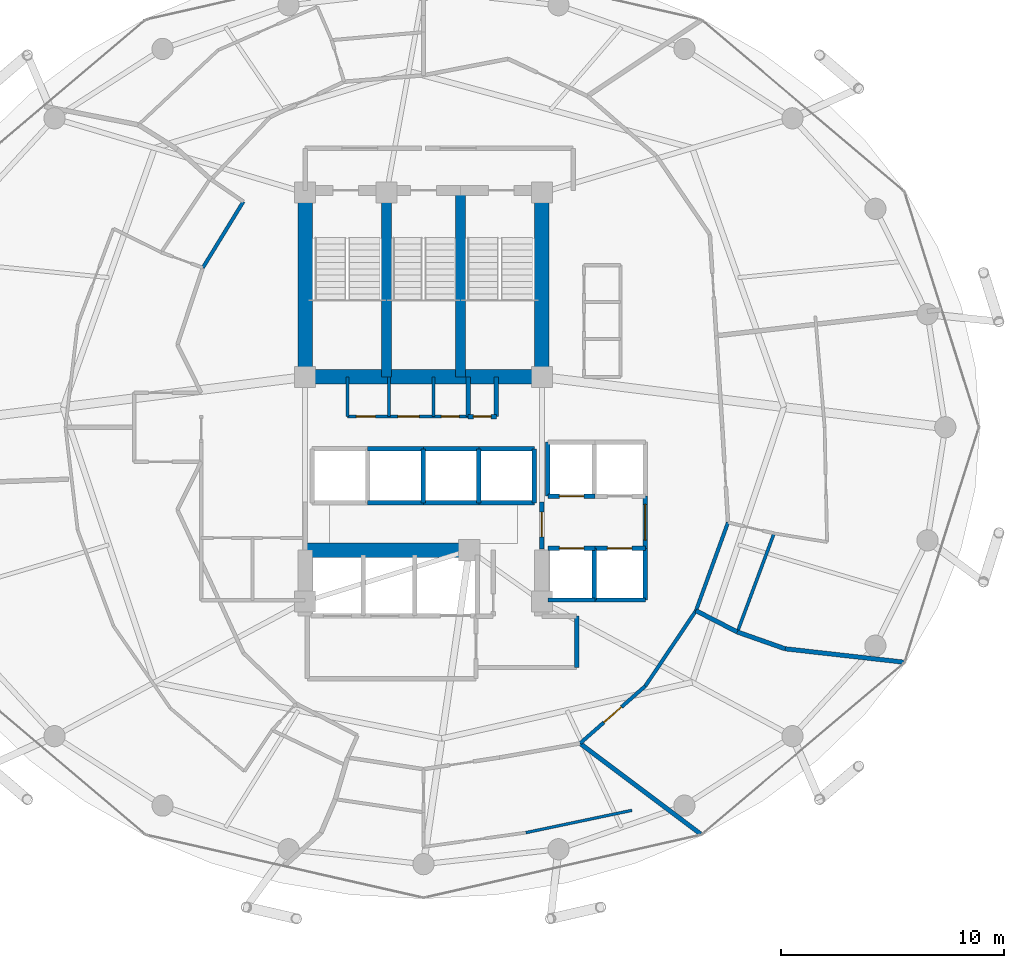
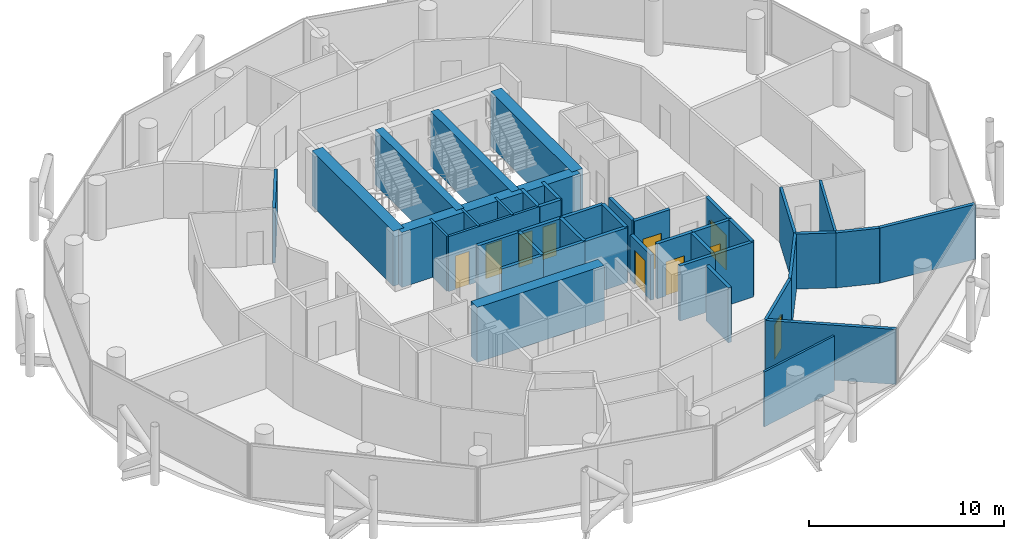
# One storey, part 23 of 26: 43 walls, 10 doors, 10 openings.
"""IFC4 building model written with IfcOpenShell, lengths in metres."""

import ifcopenshell
import ifcopenshell.guid

model = None  # the IFC model being written
_history = None  # IfcOwnerHistory: only IFC2X3 demands one
_inside = {}  # id of a spatial element -> (the spatial element, [elements in it])
_under = {}  # id of a project, library or spatial element -> (it, [spatial elements below it])
_declared = {}  # id of a project -> (the project, [libraries it declares])
_typed = {}  # id of a type object -> (the type object, [elements of that type])
_made_of = {}  # id of a material, layer set ... -> (it, [elements and type objects made of it])


def new_model(schema):
    """Start an empty IFC model of exactly this schema.

    Asked for "IFC4X3", IfcOpenShell would pick the latest addendum, in which some entities
    have other attributes; the version numbers below select the first issue.
    IFC2X3 requires an IfcOwnerHistory on every rooted entity: one is made here for all.
    """
    global model, _history
    if schema == "IFC4X3":
        model = ifcopenshell.file(schema_version=(4, 3, 0, 0))
    else:
        model = ifcopenshell.file(schema=schema)
    _inside.clear()
    _under.clear()
    _declared.clear()
    _typed.clear()
    _made_of.clear()
    _history = None
    if model.schema == "IFC2X3":
        org = make("IfcOrganization", Name="unknown")
        user = make(
            "IfcPersonAndOrganization",
            ThePerson=make("IfcPerson", FamilyName="unknown"),
            TheOrganization=org,
        )
        app = make(
            "IfcApplication",
            ApplicationDeveloper=org,
            Version="unknown",
            ApplicationFullName="unknown",
            ApplicationIdentifier="unknown",
        )
        _history = make(
            "IfcOwnerHistory",
            OwningUser=user,
            OwningApplication=app,
            ChangeAction="ADDED",
            CreationDate=0,
        )
    return model


def make(cls, **values):
    """One entity of the class cls with the attributes given. An attribute that is None is left unset."""
    return model.create_entity(
        cls, **{name: value for name, value in values.items() if value is not None}
    )


def rooted(cls, **values):
    """An entity with a GlobalId (a new one), such as an element, a storey or a relation."""
    return make(cls, GlobalId=ifcopenshell.guid.new(), OwnerHistory=_history, **values)


def si_unit(unit_type, name, prefix=None):
    """IfcSIUnit, for example si_unit("LENGTHUNIT", "METRE", prefix="MILLI")."""
    return make("IfcSIUnit", UnitType=unit_type, Prefix=prefix, Name=name)


def assignment(units):
    """IfcUnitAssignment: the units of a project."""
    return None if units is None else make("IfcUnitAssignment", Units=units)


def point(xyz):
    """IfcCartesianPoint."""
    return None if xyz is None else make("IfcCartesianPoint", Coordinates=xyz)


def direction(xyz):
    """IfcDirection."""
    return None if xyz is None else make("IfcDirection", DirectionRatios=xyz)


def frame(location, z_axis=None, x_axis=None):
    """IfcAxis2Placement3D, a coordinate frame: its origin and axes. An axis left out is left unset."""
    return make(
        "IfcAxis2Placement3D",
        Location=point(location),
        Axis=direction(z_axis),
        RefDirection=direction(x_axis),
    )


def frame_2d(location, x_axis=None):
    """IfcAxis2Placement2D, a coordinate frame in the plane: its origin and x axis."""
    return make(
        "IfcAxis2Placement2D", Location=point(location), RefDirection=direction(x_axis)
    )


def origin():
    """The frame at (0, 0, 0) with its axes left unset."""
    return frame((0.0, 0.0, 0.0))


def place(relative_to, where):
    """IfcLocalPlacement: puts the frame where relative to a parent placement (None: the world)."""
    return make(
        "IfcLocalPlacement", PlacementRelTo=relative_to, RelativePlacement=where
    )


def context(
    kind, dimensions, precision=None, world=None, true_north=None, identifier=None
):
    """IfcGeometricRepresentationContext, for example the 3D "Model" context."""
    return make(
        "IfcGeometricRepresentationContext",
        ContextIdentifier=identifier,
        ContextType=kind,
        CoordinateSpaceDimension=dimensions,
        Precision=precision,
        WorldCoordinateSystem=world,
        TrueNorth=true_north,
    )


def subcontext(parent, identifier, kind, view, scale=None):
    """IfcGeometricRepresentationSubContext, for example "Body" below "Model"."""
    return make(
        "IfcGeometricRepresentationSubContext",
        ContextIdentifier=identifier,
        ContextType=kind,
        ParentContext=parent,
        TargetScale=scale,
        TargetView=view,
    )


def project(units=None, contexts=None):
    """IfcProject with its units and contexts."""
    return rooted(
        "IfcProject",
        Name="project",
        RepresentationContexts=contexts,
        UnitsInContext=assignment(units),
    )


def spatial(cls, under=None, at=None, **own):
    """A site, building, storey or space (cls), placed at a placement, below another one or the project."""
    s = rooted(cls, ObjectPlacement=at, **own)
    if under is not None:
        _under.setdefault(under.id(), (under, []))[1].append(s)
    return s


def profile(cls, at=None, kind="AREA", **sizes):
    """A parametric profile (cls). Its sizes go by their IFC names, for example OverallWidth=200.0."""
    return make(cls, ProfileType=kind, Position=at, **sizes)


def rectangle(**sizes):
    """IfcRectangleProfileDef."""
    return profile("IfcRectangleProfileDef", **sizes)


def extrude(swept, where, along, depth):
    """IfcExtrudedAreaSolid: the profile swept, set in the frame where, extruded along a direction by depth."""
    return make(
        "IfcExtrudedAreaSolid",
        SweptArea=swept,
        Position=where,
        ExtrudedDirection=direction(along),
        Depth=depth,
    )


def shape(context_of_items, identifier, shape_type, items):
    """IfcShapeRepresentation: the items that make up one representation, for example the "Body"."""
    return make(
        "IfcShapeRepresentation",
        ContextOfItems=context_of_items,
        RepresentationIdentifier=identifier,
        RepresentationType=shape_type,
        Items=items,
    )


def material(Name=None, Category=None):
    """IfcMaterial."""
    return make("IfcMaterial", Name=Name, Category=Category)


def layer(
    of_material, thickness, ventilated=None, Name=None, Category=None, Priority=None
):
    """IfcMaterialLayer: one layer of a wall or slab, of a material (None: an air gap)."""
    return make(
        "IfcMaterialLayer",
        Material=of_material,
        LayerThickness=thickness,
        IsVentilated=ventilated,
        Name=Name,
        Category=Category,
        Priority=Priority,
    )


def layer_set(layers, Name=None):
    """IfcMaterialLayerSet."""
    return make("IfcMaterialLayerSet", MaterialLayers=layers, LayerSetName=Name)


def made_of(thing, what):
    """Note that an element or type object is made of a material, layer set ...; save() writes the relation."""
    if what is not None:
        _made_of.setdefault(what.id(), (what, []))[1].append(thing)
    return thing


def type_object(cls, material=None, **own):
    """A type object (cls), such as IfcWallType, which elements share."""
    return made_of(rooted(cls, **own), material)


def element(
    cls,
    number,
    at=None,
    inside=None,
    cuts=None,
    type_object=None,
    material=None,
    context=None,
    identifier="Body",
    shape_type=None,
    held_by="IfcProductDefinitionShape",
    body=None,
    shapes=None,
    **own,
):
    """One element of the class cls, such as IfcWall. Its Tag is "e" and its number.

    at: its placement. inside: the storey or other place that contains it. cuts: it is an
    opening in that element (IfcRelVoidsElement). A single representation is given by context,
    identifier, shape_type and body (its items); several are given by shapes. held_by: the class
    of the entity that holds the representations. save() writes the other relations.
    """
    e = rooted(cls, Tag="e%d" % number, ObjectPlacement=at, **own)
    if body is not None:
        shapes = [shape(context, identifier, shape_type, body)]
    if shapes is not None:
        e.Representation = make(held_by, Representations=shapes)
    if inside is not None:
        _inside.setdefault(inside.id(), (inside, []))[1].append(e)
    if cuts is not None:
        rooted(
            "IfcRelVoidsElement", RelatingBuildingElement=cuts, RelatedOpeningElement=e
        )
    if type_object is not None:
        _typed.setdefault(type_object.id(), (type_object, []))[1].append(e)
    return made_of(e, material)


def fill(opening, filler):
    """IfcRelFillsElement: the door or window that sits in an opening."""
    return rooted(
        "IfcRelFillsElement",
        RelatingOpeningElement=opening,
        RelatedBuildingElement=filler,
    )


def aggregate(whole, parts):
    """IfcRelAggregates: a whole, such as a stair, and the parts it consists of."""
    return rooted("IfcRelAggregates", RelatingObject=whole, RelatedObjects=parts)


def save(model, path):
    """Write the relations noted so far, then the file.

    IfcRelAggregates (storeys below a building ...), IfcRelContainedInSpatialStructure (elements
    in a storey), IfcRelDefinesByType, IfcRelAssociatesMaterial and IfcRelDeclares: one each for
    every whole, place, type object, material and project.
    """
    for whole, parts in _under.values():
        aggregate(whole, parts)
    for where, things in _inside.values():
        rooted(
            "IfcRelContainedInSpatialStructure",
            RelatedElements=things,
            RelatingStructure=where,
        )
    for kind, things in _typed.values():
        rooted("IfcRelDefinesByType", RelatedObjects=things, RelatingType=kind)
    for what, things in _made_of.values():
        rooted("IfcRelAssociatesMaterial", RelatedObjects=things, RelatingMaterial=what)
    for by, libraries in _declared.values():
        rooted("IfcRelDeclares", RelatingContext=by, RelatedDefinitions=libraries)
    model.write(path)


model = new_model("IFC4")

# Units and contexts
model_context = context("Model", 3, precision=1e-05, world=origin(), true_north=direction((0.0, 1.0)))
body_context = subcontext(model_context, "Body", "Model", "MODEL_VIEW")
ifc_project = project(units=[si_unit("LENGTHUNIT", "METRE"), si_unit("AREAUNIT", "SQUARE_METRE"), si_unit("VOLUMEUNIT", "CUBIC_METRE"), si_unit("PLANEANGLEUNIT", "RADIAN"), si_unit("MASSUNIT", "GRAM", prefix="KILO")], contexts=[model_context])

# Site, building, storey
site_placement = place(None, origin())
site = spatial("IfcSite", under=ifc_project, at=site_placement, CompositionType="ELEMENT")
building_placement = place(site_placement, origin())
building = spatial("IfcBuilding", under=site, at=building_placement, Name="Nuhasar Tower", CompositionType="ELEMENT")
storey_placement = place(building_placement, frame((0.0, 0.0, 129.35009765625)))
storey = spatial("IfcBuildingStorey", under=building, at=storey_placement, Name="L30", CompositionType="ELEMENT", Elevation=129.35009765625)

# Walls
ifc_material_1 = material(Name="Concrete C50/60", Category="concrete")
ifc_layer_1 = layer(ifc_material_1, 0.449951171875)
ifc_layer_set_1 = layer_set([ifc_layer_1], Name="Concrete C50/60")
wall_type_1 = type_object("IfcWallType", Name="WL-CORE-450", PredefinedType="SHEAR", material=ifc_layer_set_1)
for number, where, z_axis, x_axis, name in (
    (1, (37.35009765625, 29.050048828125, 0.0), (0.0, 0.0, 1.0), (0.0, 1.0, 0.0), "L30 Stairwell Shear Wall ST01-E"),
    (2, (40.64990234375, 29.050048828125, 0.0), (0.0, 0.0, 1.0), (0.0, 1.0, 0.0), "L30 Stairwell Shear Wall ST03-E"),
):
    element("IfcWall", number, at=place(storey_placement, frame(where, z_axis=z_axis, x_axis=x_axis)), inside=storey, type_object=wall_type_1, Name=name, PredefinedType="SHEAR", context=body_context, shape_type="SweptSolid", body=[
        extrude(rectangle(XDim=8.349853515625, YDim=0.449951171875, at=frame_2d((4.1748046875, 0.0))), origin(), (0.0, 0.0, 1.0), 3.449951171875),
    ])
ifc_material_2 = material(Name="Concrete C65/80", Category="concrete")
ifc_layer_2 = layer(ifc_material_2, 0.64990234375)
ifc_layer_set_2 = layer_set([ifc_layer_2], Name="Concrete C65/80")
wall_type_2 = type_object("IfcWallType", Name="WL-CORE-650", PredefinedType="SHEAR", material=ifc_layer_set_2)
for number, where, z_axis, x_axis, name in (
    (3, (33.699951171875, 29.050048828125, 0.0), (0.0, 0.0, 1.0), (0.0, 1.0, 0.0), "L30 Core Shear Wall CW-NW CW-650"),
    (4, (44.300048828125, 29.050048828125, 0.0), (0.0, 0.0, 1.0), (0.0, 1.0, 0.0), "L30 Core Shear Wall CW-NE CW-650"),
):
    element("IfcWall", number, at=place(storey_placement, frame(where, z_axis=z_axis, x_axis=x_axis)), inside=storey, type_object=wall_type_2, Name=name, PredefinedType="SHEAR", context=body_context, shape_type="SweptSolid", body=[
        extrude(rectangle(XDim=8.349853515625, YDim=0.64990234375, at=frame_2d((4.1748046875, 0.0))), origin(), (0.0, 0.0, 1.0), 3.449951171875),
    ])
wall_1_placement = place(storey_placement, frame((33.699951171875, 29.050048828125, 0.0), z_axis=(0.0, 0.0, 1.0), x_axis=(1.0, 0.0, 0.0)))
element("IfcWall", 5, at=wall_1_placement, inside=storey, type_object=wall_type_2, Name="L30 Core Shear Wall CW-N1 CW-650", PredefinedType="SHEAR", context=body_context, shape_type="SweptSolid", body=[
    extrude(rectangle(XDim=10.60009765625, YDim=0.64990234375, at=frame_2d((5.300048828125, 0.0))), origin(), (0.0, 0.0, 1.0), 3.449951171875),
])
wall_2_placement = place(storey_placement, frame((33.699951171875, 21.300048828125, 0.0), z_axis=(0.0, 0.0, 1.0), x_axis=(1.0, 0.0, 0.0)))
element("IfcWall", 6, at=wall_2_placement, inside=storey, type_object=wall_type_2, Name="L30 Core Shear Wall CW-S1 CW-650", PredefinedType="SHEAR", context=body_context, shape_type="SweptSolid", body=[
    extrude(rectangle(XDim=7.550048828125, YDim=0.64990234375, at=frame_2d((3.77490234375, 0.0))), origin(), (0.0, 0.0, 1.0), 3.449951171875),
])

# Wall, opening, door
ifc_material_3 = material(Name="Gypsum Board", Category="gypsum")
ifc_layer_3 = layer(ifc_material_3, 0.159912109375)
ifc_layer_set_3 = layer_set([ifc_layer_3], Name="Gypsum Board")
wall_type_3 = type_object("IfcWallType", Name="WL-CORR-160", PredefinedType="PARTITIONING", material=ifc_layer_set_3)
wall_3_placement = place(storey_placement, frame((48.927978515625, 15.221923828125, 0.0), z_axis=(0.0, 0.0, 1.0), x_axis=(-0.751390152027, -0.659858196461, 0.0)))
wall_3 = element("IfcWall", 7, at=wall_3_placement, inside=storey, type_object=wall_type_3, Name="L30 Interior Partition CORR-40", PredefinedType="PARTITIONING", context=body_context, shape_type="SweptSolid", body=[
    extrude(rectangle(XDim=3.8916015625, YDim=0.159912109375, at=frame_2d((1.94580078125, 0.0))), origin(), (0.0, 0.0, 1.0), 3.449951171875),
])
opening_1_placement = place(wall_3_placement, frame((1.4208984375, 0.0, 0.0)))
opening_1 = element("IfcOpeningElement", 8, at=opening_1_placement, cuts=wall_3, Name="Opening DU-01", PredefinedType="OPENING", context=body_context, shape_type="SweptSolid", body=[
    extrude(rectangle(XDim=1.050048828125, YDim=2.14990234375, at=frame_2d((0.52490234375, 1.074951171875))), frame((0.0, 0.08984375, 0.0), z_axis=(0.0, -1.0, 0.0), x_axis=(1.0, 0.0, 0.0)), (0.0, 0.0, 1.0), 0.179931640625),
])
ifc_material_4 = material(Name="Timber Oak", Category="wood")
door_type_1 = type_object("IfcDoorType", Name="DR-SUITE-FD60-1050", OperationType="NOTDEFINED", PredefinedType="DOOR", material=ifc_material_4)
door_1_placement = place(opening_1_placement, origin())
door_1 = element("IfcDoor", 9, at=door_1_placement, inside=storey, type_object=door_type_1, Name="L30 Diplomatic Reading Office Entrance Door", OperationType="SINGLE_SWING_LEFT", OverallHeight=2.14990234375, OverallWidth=1.050048828125, PredefinedType="DOOR", context=body_context, shape_type="SweptSolid", body=[
    extrude(rectangle(XDim=1.050048828125, YDim=2.14990234375, at=frame_2d((0.52490234375, 1.074951171875))), frame((0.0, 0.02490234375, 0.0), z_axis=(0.0, -1.0, 0.0), x_axis=(1.0, 0.0, 0.0)), (0.0, 0.0, 1.0), 0.050048828125),
])
fill(opening_1, door_1)

# Walls
wall_4_placement = place(storey_placement, frame((48.927978515625, 15.221923828125, 0.0), z_axis=(0.0, 0.0, 1.0), x_axis=(0.557736193643, 0.830018275884, 0.0)))
element("IfcWall", 10, at=wall_4_placement, inside=storey, type_object=wall_type_3, Name="L30 Interior Partition CORR-42", PredefinedType="PARTITIONING", context=body_context, shape_type="SweptSolid", body=[
    extrude(rectangle(XDim=4.05908203125, YDim=0.159912109375, at=frame_2d((2.029541015625, 0.0))), origin(), (0.0, 0.0, 1.0), 3.449951171875),
])
wall_5_placement = place(storey_placement, frame((51.19189453125, 18.591064453125, 0.0), z_axis=(0.0, 0.0, 1.0), x_axis=(0.341397947832, 0.939918848208, 0.0)))
element("IfcWall", 11, at=wall_5_placement, inside=storey, type_object=wall_type_3, Name="L30 Interior Partition CORR-44", PredefinedType="PARTITIONING", context=body_context, shape_type="SweptSolid", body=[
    extrude(rectangle(XDim=4.203369140625, YDim=0.159912109375, at=frame_2d((2.1015625, 0.0))), origin(), (0.0, 0.0, 1.0), 3.449951171875),
])
wall_6_placement = place(storey_placement, frame((30.93896484375, 36.89697265625, 0.0), z_axis=(0.0, 0.0, 1.0), x_axis=(-0.522486120877, -0.852647789823, 0.0)))
element("IfcWall", 12, at=wall_6_placement, inside=storey, type_object=wall_type_3, Name="L30 Interior Partition HWEST-CORE-N-18", PredefinedType="PARTITIONING", context=body_context, shape_type="SweptSolid", body=[
    extrude(rectangle(XDim=3.468017578125, YDim=0.159912109375, at=frame_2d((1.73388671875, 0.0))), origin(), (0.0, 0.0, 1.0), 3.449951171875),
])

# Wall, opening, door
ifc_material_5 = material(Name="Concrete C45/55", Category="concrete")
ifc_layer_4 = layer(ifc_material_5, 0.199951171875)
ifc_layer_set_4 = layer_set([ifc_layer_4], Name="Concrete C45/55")
wall_type_4 = type_object("IfcWallType", Name="WL-LOBBY-200", PredefinedType="SOLIDWALL", material=ifc_layer_set_4)
wall_7_placement = place(storey_placement, frame((48.929931640625, 21.3798828125, 0.0), z_axis=(0.0, 0.0, 1.0), x_axis=(0.0, 1.0, 0.0)))
wall_7 = element("IfcWall", 13, at=wall_7_placement, inside=storey, type_object=wall_type_4, Name="L30 Interior Partition LLBM-E", PredefinedType="SOLIDWALL", context=body_context, shape_type="SweptSolid", body=[
    extrude(rectangle(XDim=2.340087890625, YDim=0.199951171875, at=frame_2d((1.169921875, 0.0))), origin(), (0.0, 0.0, 1.0), 3.449951171875),
])
opening_2_placement = place(wall_7_placement, frame((0.3701171875, 0.0, 0.0)))
opening_2 = element("IfcOpeningElement", 14, at=opening_2_placement, cuts=wall_7, Name="Opening DC-01", PredefinedType="OPENING", context=body_context, shape_type="SweptSolid", body=[
    extrude(rectangle(XDim=1.60009765625, YDim=2.199951171875, at=frame_2d((0.800048828125, 1.10009765625))), frame((0.0, 0.10986328125, 0.0), z_axis=(0.0, -1.0, 0.0), x_axis=(1.0, 0.0, 0.0)), (0.0, 0.0, 1.0), 0.219970703125),
])
ifc_material_6 = material(Name="Steel S355", Category="steel")
door_type_2 = type_object("IfcDoorType", Name="DR-CORR-FD60-1600", OperationType="DOUBLE_DOOR_SINGLE_SWING", PredefinedType="DOOR", material=ifc_material_6)
door_2_placement = place(opening_2_placement, origin())
door_2 = element("IfcDoor", 15, at=door_2_placement, inside=storey, type_object=door_type_2, Name="L30 Mid-Rise Lift Lobby East Entry", OperationType="DOUBLE_DOOR_SINGLE_SWING", OverallHeight=2.199951171875, OverallWidth=1.60009765625, PredefinedType="DOOR", context=body_context, shape_type="SweptSolid", body=[
    extrude(rectangle(XDim=1.60009765625, YDim=2.199951171875, at=frame_2d((0.800048828125, 1.10009765625))), frame((0.0, 0.02490234375, 0.0), z_axis=(0.0, -1.0, 0.0), x_axis=(1.0, 0.0, 0.0)), (0.0, 0.0, 1.0), 0.050048828125),
])
fill(opening_2, door_2)

wall_8_placement = place(storey_placement, frame((44.300048828125, 21.35009765625, 0.0), z_axis=(0.0, 0.0, 1.0), x_axis=(0.0, 1.0, 0.0)))
wall_8 = element("IfcWall", 16, at=wall_8_placement, inside=storey, type_object=wall_type_4, Name="L30 Interior Partition LLBH-E", PredefinedType="SOLIDWALL", context=body_context, shape_type="SweptSolid", body=[
    extrude(rectangle(XDim=2.099853515625, YDim=0.199951171875, at=frame_2d((1.0498046875, 0.0))), origin(), (0.0, 0.0, 1.0), 2.8349609375),
])
opening_3_placement = place(wall_8_placement, frame((0.550048828125, 0.0, 0.0)))
opening_3 = element("IfcOpeningElement", 17, at=opening_3_placement, cuts=wall_8, Name="Opening DS-02", PredefinedType="OPENING", context=body_context, shape_type="SweptSolid", body=[
    extrude(rectangle(XDim=1.10009765625, YDim=2.14990234375, at=frame_2d((0.550048828125, 1.074951171875))), frame((0.0, 0.10986328125, 0.0), z_axis=(0.0, -1.0, 0.0), x_axis=(1.0, 0.0, 0.0)), (0.0, 0.0, 1.0), 0.219970703125),
])
door_type_3 = type_object("IfcDoorType", Name="DR-FFL-FD120-1100", OperationType="NOTDEFINED", PredefinedType="DOOR", material=ifc_material_6)
door_3_placement = place(opening_3_placement, origin())
door_3 = element("IfcDoor", 18, at=door_3_placement, inside=storey, type_object=door_type_3, Name="L30 High-Rise Lobby East Door", OperationType="SINGLE_SWING_RIGHT", OverallHeight=2.14990234375, OverallWidth=1.10009765625, PredefinedType="DOOR", context=body_context, shape_type="SweptSolid", body=[
    extrude(rectangle(XDim=1.10009765625, YDim=2.14990234375, at=frame_2d((0.550048828125, 1.074951171875))), frame((0.0, 0.02490234375, 0.0), z_axis=(0.0, -1.0, 0.0), x_axis=(1.0, 0.0, 0.0)), (0.0, 0.0, 1.0), 0.050048828125),
])
fill(opening_3, door_3)

# Walls
wall_9_placement = place(storey_placement, frame((45.85009765625, 16.050048828125, 0.0), z_axis=(0.0, 0.0, 1.0), x_axis=(0.0, 1.0, 0.0)))
element("IfcWall", 19, at=wall_9_placement, inside=storey, type_object=wall_type_4, Name="L30 Interior Partition SVLV-E", PredefinedType="SOLIDWALL", context=body_context, shape_type="SweptSolid", body=[
    extrude(rectangle(XDim=2.300048828125, YDim=0.199951171875, at=frame_2d((1.14990234375, 0.0))), origin(), (0.0, 0.0, 1.0), 3.449951171875),
])
ifc_layer_5 = layer(ifc_material_3, 0.125)
ifc_layer_set_5 = layer_set([ifc_layer_5], Name="Gypsum Board")
wall_type_5 = type_object("IfcWallType", Name="WL-PART-125", PredefinedType="PARTITIONING", material=ifc_layer_set_5)
wall_10_placement = place(storey_placement, frame((43.5810546875, 8.659912109375, 0.0), z_axis=(0.0, 0.0, 1.0), x_axis=(0.978603154657, 0.205756812027, 0.0)))
element("IfcWall", 20, at=wall_10_placement, inside=storey, type_object=wall_type_5, Name="L30 Interior Partition HSAL-01-38", PredefinedType="PARTITIONING", context=body_context, shape_type="SweptSolid", body=[
    extrude(rectangle(XDim=4.8505859375, YDim=0.125, at=frame_2d((2.42529296875, 0.0))), origin(), (0.0, 0.0, 1.0), 3.449951171875),
])
ifc_layer_6 = layer(ifc_material_5, 0.199951171875)
ifc_layer_set_6 = layer_set([ifc_layer_6], Name="Concrete C45/55")
wall_type_6 = type_object("IfcWallType", Name="WL-SHAFT-200", PredefinedType="SOLIDWALL", material=ifc_layer_set_6)
for number, where, z_axis, x_axis, name in (
    (21, (41.0, 27.280029296875, 0.0), (0.0, 0.0, 1.0), (0.0, 1.0, 0.0), "L30 Interior Partition RSRN-W"),
    (22, (42.260009765625, 27.280029296875, 0.0), (0.0, 0.0, 1.0), (0.0, 1.0, 0.0), "L30 Interior Partition RSRN-E"),
):
    element("IfcWall", number, at=place(storey_placement, frame(where, z_axis=z_axis, x_axis=x_axis)), inside=storey, type_object=wall_type_6, Name=name, PredefinedType="SOLIDWALL", context=body_context, shape_type="SweptSolid", body=[
        extrude(rectangle(XDim=1.77001953125, YDim=0.199951171875, at=frame_2d((0.885009765625, 0.0))), origin(), (0.0, 0.0, 1.0), 3.449951171875),
    ])

# Wall, opening, door
wall_11_placement = place(storey_placement, frame((41.0, 27.280029296875, 0.0), z_axis=(0.0, 0.0, 1.0), x_axis=(1.0, 0.0, 0.0)))
wall_11 = element("IfcWall", 23, at=wall_11_placement, inside=storey, type_object=wall_type_6, Name="L30 Interior Partition RSRN-S", PredefinedType="SOLIDWALL", context=body_context, shape_type="SweptSolid", body=[
    extrude(rectangle(XDim=1.260009765625, YDim=0.199951171875, at=frame_2d((0.6298828125, 0.0))), origin(), (0.0, 0.0, 1.0), 3.449951171875),
])
opening_4_placement = place(wall_11_placement, frame((0.22998046875, 0.0, 0.0)))
opening_4 = element("IfcOpeningElement", 24, at=opening_4_placement, cuts=wall_11, Name="Opening DM-01", PredefinedType="OPENING", context=body_context, shape_type="SweptSolid", body=[
    extrude(rectangle(XDim=0.800048828125, YDim=2.050048828125, at=frame_2d((0.39990234375, 1.02490234375))), frame((0.0, 0.10986328125, 0.0), z_axis=(0.0, -1.0, 0.0), x_axis=(1.0, 0.0, 0.0)), (0.0, 0.0, 1.0), 0.219970703125),
])
door_type_4 = type_object("IfcDoorType", Name="DR-RISER-FD60-800", OperationType="NOTDEFINED", PredefinedType="DOOR", material=ifc_material_6)
door_4_placement = place(opening_4_placement, origin())
door_4 = element("IfcDoor", 25, at=door_4_placement, inside=storey, type_object=door_type_4, Name="L30 North Smoke Riser Door", OperationType="SINGLE_SWING_RIGHT", OverallHeight=2.050048828125, OverallWidth=0.800048828125, PredefinedType="DOOR", context=body_context, shape_type="SweptSolid", body=[
    extrude(rectangle(XDim=0.800048828125, YDim=2.050048828125, at=frame_2d((0.39990234375, 1.02490234375))), frame((0.0, 0.02490234375, 0.0), z_axis=(0.0, -1.0, 0.0), x_axis=(1.0, 0.0, 0.0)), (0.0, 0.0, 1.0), 0.050048828125),
])
fill(opening_4, door_4)

wall_12_placement = place(storey_placement, frame((44.570068359375, 23.719970703125, 0.0), z_axis=(0.0, 0.0, 1.0), x_axis=(1.0, 0.0, 0.0)))
wall_12 = element("IfcWall", 26, at=wall_12_placement, inside=storey, type_object=wall_type_6, Name="L30 Interior Partition SHF-PL-M01-S", PredefinedType="SOLIDWALL", context=body_context, shape_type="SweptSolid", body=[
    extrude(rectangle(XDim=2.10986328125, YDim=0.199951171875, at=frame_2d((1.054931640625, 0.0))), origin(), (0.0, 0.0, 1.0), 3.449951171875),
])
opening_5_placement = place(wall_12_placement, frame((0.5048828125, 0.0, 0.0)))
opening_5 = element("IfcOpeningElement", 27, at=opening_5_placement, cuts=wall_12, Name="Opening LD-M01", PredefinedType="OPENING", context=body_context, shape_type="SweptSolid", body=[
    extrude(rectangle(XDim=1.10009765625, YDim=2.14990234375, at=frame_2d((0.550048828125, 1.074951171875))), frame((0.0, 0.10986328125, 0.0), z_axis=(0.0, -1.0, 0.0), x_axis=(1.0, 0.0, 0.0)), (0.0, 0.0, 1.0), 0.219970703125),
])
ifc_material_7 = material(Name="Stainless Steel 316L", Category="steel")
door_type_5 = type_object("IfcDoorType", Name="LD-PAX-1100", OperationType="DOUBLE_DOOR_SLIDING", PredefinedType="DOOR", material=ifc_material_7)
door_5_placement = place(opening_5_placement, origin())
door_5 = element("IfcDoor", 28, at=door_5_placement, inside=storey, type_object=door_type_5, Name="L30 Lift Landing Door PL-M01", OperationType="DOUBLE_DOOR_SLIDING", OverallHeight=2.14990234375, OverallWidth=1.10009765625, PredefinedType="DOOR", context=body_context, shape_type="SweptSolid", body=[
    extrude(rectangle(XDim=1.10009765625, YDim=2.14990234375, at=frame_2d((0.550048828125, 1.074951171875))), frame((0.0, 0.02490234375, 0.0), z_axis=(0.0, -1.0, 0.0), x_axis=(1.0, 0.0, 0.0)), (0.0, 0.0, 1.0), 0.050048828125),
])
fill(opening_5, door_5)

# Walls
wall_13_placement = place(storey_placement, frame((44.570068359375, 23.719970703125, 0.0), z_axis=(0.0, 0.0, 1.0), x_axis=(0.0, 1.0, 0.0)))
element("IfcWall", 29, at=wall_13_placement, inside=storey, type_object=wall_type_6, Name="L30 Interior Partition SHF-PL-M01-W", PredefinedType="SOLIDWALL", context=body_context, shape_type="SweptSolid", body=[
    extrude(rectangle(XDim=2.409912109375, YDim=0.199951171875, at=frame_2d((1.205078125, 0.0))), origin(), (0.0, 0.0, 1.0), 3.449951171875),
])
wall_14_placement = place(storey_placement, frame((44.570068359375, 19.070068359375, 0.0), z_axis=(0.0, 0.0, 1.0), x_axis=(1.0, 0.0, 0.0)))
element("IfcWall", 30, at=wall_14_placement, inside=storey, type_object=wall_type_6, Name="L30 Interior Partition SHF-PL-M03-S", PredefinedType="SOLIDWALL", context=body_context, shape_type="SweptSolid", body=[
    extrude(rectangle(XDim=2.10986328125, YDim=0.199951171875, at=frame_2d((1.054931640625, 0.0))), origin(), (0.0, 0.0, 1.0), 3.449951171875),
])

# Wall, opening, door
wall_15_placement = place(storey_placement, frame((44.570068359375, 21.3798828125, 0.0), z_axis=(0.0, 0.0, 1.0), x_axis=(1.0, 0.0, 0.0)))
wall_15 = element("IfcWall", 31, at=wall_15_placement, inside=storey, type_object=wall_type_6, Name="L30 Interior Partition SHF-PL-M03-N", PredefinedType="SOLIDWALL", context=body_context, shape_type="SweptSolid", body=[
    extrude(rectangle(XDim=2.10986328125, YDim=0.199951171875, at=frame_2d((1.054931640625, 0.0))), origin(), (0.0, 0.0, 1.0), 3.449951171875),
])
opening_6_placement = place(wall_15_placement, frame((0.5048828125, 0.0, 0.0)))
opening_6 = element("IfcOpeningElement", 32, at=opening_6_placement, cuts=wall_15, Name="Opening LD-M03", PredefinedType="OPENING", context=body_context, shape_type="SweptSolid", body=[
    extrude(rectangle(XDim=1.10009765625, YDim=2.14990234375, at=frame_2d((0.550048828125, 1.074951171875))), frame((0.0, 0.10986328125, 0.0), z_axis=(0.0, -1.0, 0.0), x_axis=(1.0, 0.0, 0.0)), (0.0, 0.0, 1.0), 0.219970703125),
])
door_6_placement = place(opening_6_placement, origin())
door_6 = element("IfcDoor", 33, at=door_6_placement, inside=storey, type_object=door_type_5, Name="L30 Lift Landing Door PL-M03", OperationType="DOUBLE_DOOR_SLIDING", OverallHeight=2.14990234375, OverallWidth=1.10009765625, PredefinedType="DOOR", context=body_context, shape_type="SweptSolid", body=[
    extrude(rectangle(XDim=1.10009765625, YDim=2.14990234375, at=frame_2d((0.550048828125, 1.074951171875))), frame((0.0, 0.02490234375, 0.0), z_axis=(0.0, -1.0, 0.0), x_axis=(1.0, 0.0, 0.0)), (0.0, 0.0, 1.0), 0.050048828125),
])
fill(opening_6, door_6)

# Walls
for number, where, z_axis, x_axis, name in (
    (34, (46.64990234375, 19.070068359375, 0.0), (0.0, 0.0, 1.0), (0.0, 1.0, 0.0), "L30 Interior Partition SHF-PL-M03-E"),
    (35, (46.6201171875, 19.070068359375, 0.0), (0.0, 0.0, 1.0), (1.0, 0.0, 0.0), "L30 Interior Partition SHF-PL-M04-S"),
):
    element("IfcWall", number, at=place(storey_placement, frame(where, z_axis=z_axis, x_axis=x_axis)), inside=storey, type_object=wall_type_6, Name=name, PredefinedType="SOLIDWALL", context=body_context, shape_type="SweptSolid", body=[
        extrude(rectangle(XDim=2.309814453125, YDim=0.199951171875, at=frame_2d((1.15478515625, 0.0))), origin(), (0.0, 0.0, 1.0), 3.449951171875),
    ])

# Wall, opening, door
wall_16_placement = place(storey_placement, frame((46.6201171875, 21.3798828125, 0.0), z_axis=(0.0, 0.0, 1.0), x_axis=(1.0, 0.0, 0.0)))
wall_16 = element("IfcWall", 36, at=wall_16_placement, inside=storey, type_object=wall_type_6, Name="L30 Interior Partition SHF-PL-M04-N", PredefinedType="SOLIDWALL", context=body_context, shape_type="SweptSolid", body=[
    extrude(rectangle(XDim=2.309814453125, YDim=0.199951171875, at=frame_2d((1.15478515625, 0.0))), origin(), (0.0, 0.0, 1.0), 3.449951171875),
])
opening_7_placement = place(wall_16_placement, frame((0.60498046875, 0.0, 0.0)))
opening_7 = element("IfcOpeningElement", 37, at=opening_7_placement, cuts=wall_16, Name="Opening LD-M04", PredefinedType="OPENING", context=body_context, shape_type="SweptSolid", body=[
    extrude(rectangle(XDim=1.10009765625, YDim=2.14990234375, at=frame_2d((0.550048828125, 1.074951171875))), frame((0.0, 0.10986328125, 0.0), z_axis=(0.0, -1.0, 0.0), x_axis=(1.0, 0.0, 0.0)), (0.0, 0.0, 1.0), 0.219970703125),
])
door_7_placement = place(opening_7_placement, origin())
door_7 = element("IfcDoor", 38, at=door_7_placement, inside=storey, type_object=door_type_5, Name="L30 Lift Landing Door PL-M04", OperationType="DOUBLE_DOOR_SLIDING", OverallHeight=2.14990234375, OverallWidth=1.10009765625, PredefinedType="DOOR", context=body_context, shape_type="SweptSolid", body=[
    extrude(rectangle(XDim=1.10009765625, YDim=2.14990234375, at=frame_2d((0.550048828125, 1.074951171875))), frame((0.0, 0.02490234375, 0.0), z_axis=(0.0, -1.0, 0.0), x_axis=(1.0, 0.0, 0.0)), (0.0, 0.0, 1.0), 0.050048828125),
])
fill(opening_7, door_7)

# Walls
wall_17_placement = place(storey_placement, frame((48.929931640625, 19.070068359375, 0.0), z_axis=(0.0, 0.0, 1.0), x_axis=(0.0, 1.0, 0.0)))
element("IfcWall", 39, at=wall_17_placement, inside=storey, type_object=wall_type_6, Name="L30 Interior Partition SHF-PL-M04-E", PredefinedType="SOLIDWALL", context=body_context, shape_type="SweptSolid", body=[
    extrude(rectangle(XDim=2.309814453125, YDim=0.199951171875, at=frame_2d((1.15478515625, 0.0))), origin(), (0.0, 0.0, 1.0), 3.449951171875),
])
for number, where, z_axis, x_axis, name in (
    (40, (36.5, 23.419921875, 0.0), (0.0, 0.0, 1.0), (1.0, 0.0, 0.0), "L30 Interior Partition SHF-PL-H02-S"),
    (41, (36.5, 25.830078125, 0.0), (0.0, 0.0, 1.0), (1.0, 0.0, 0.0), "L30 Interior Partition SHF-PL-H02-N"),
):
    element("IfcWall", number, at=place(storey_placement, frame(where, z_axis=z_axis, x_axis=x_axis)), inside=storey, type_object=wall_type_6, Name=name, PredefinedType="SOLIDWALL", context=body_context, shape_type="SweptSolid", body=[
        extrude(rectangle(XDim=2.5, YDim=0.199951171875, at=frame_2d((1.25, 0.0))), origin(), (0.0, 0.0, 1.0), 3.449951171875),
    ])
wall_18_placement = place(storey_placement, frame((38.989990234375, 23.419921875, 0.0), z_axis=(0.0, 0.0, 1.0), x_axis=(0.0, 1.0, 0.0)))
element("IfcWall", 42, at=wall_18_placement, inside=storey, type_object=wall_type_6, Name="L30 Interior Partition SHF-PL-H02-E", PredefinedType="SOLIDWALL", context=body_context, shape_type="SweptSolid", body=[
    extrude(rectangle(XDim=2.41015625, YDim=0.199951171875, at=frame_2d((1.205078125, 0.0))), origin(), (0.0, 0.0, 1.0), 3.449951171875),
])
for number, where, z_axis, x_axis, name in (
    (43, (38.97998046875, 23.419921875, 0.0), (0.0, 0.0, 1.0), (1.0, 0.0, 0.0), "L30 Interior Partition SHF-PL-H03-S"),
    (44, (38.97998046875, 25.830078125, 0.0), (0.0, 0.0, 1.0), (1.0, 0.0, 0.0), "L30 Interior Partition SHF-PL-H03-N"),
):
    element("IfcWall", number, at=place(storey_placement, frame(where, z_axis=z_axis, x_axis=x_axis)), inside=storey, type_object=wall_type_6, Name=name, PredefinedType="SOLIDWALL", context=body_context, shape_type="SweptSolid", body=[
        extrude(rectangle(XDim=2.5, YDim=0.199951171875, at=frame_2d((1.25, 0.0))), origin(), (0.0, 0.0, 1.0), 3.449951171875),
    ])
wall_19_placement = place(storey_placement, frame((41.469970703125, 23.419921875, 0.0), z_axis=(0.0, 0.0, 1.0), x_axis=(0.0, 1.0, 0.0)))
element("IfcWall", 45, at=wall_19_placement, inside=storey, type_object=wall_type_6, Name="L30 Interior Partition SHF-PL-H03-E", PredefinedType="SOLIDWALL", context=body_context, shape_type="SweptSolid", body=[
    extrude(rectangle(XDim=2.41015625, YDim=0.199951171875, at=frame_2d((1.205078125, 0.0))), origin(), (0.0, 0.0, 1.0), 3.449951171875),
])
for number, where, z_axis, x_axis, name in (
    (46, (41.4599609375, 23.419921875, 0.0), (0.0, 0.0, 1.0), (1.0, 0.0, 0.0), "L30 Interior Partition SHF-PL-H04-S"),
    (47, (41.4599609375, 25.830078125, 0.0), (0.0, 0.0, 1.0), (1.0, 0.0, 0.0), "L30 Interior Partition SHF-PL-H04-N"),
):
    element("IfcWall", number, at=place(storey_placement, frame(where, z_axis=z_axis, x_axis=x_axis)), inside=storey, type_object=wall_type_6, Name=name, PredefinedType="SOLIDWALL", context=body_context, shape_type="SweptSolid", body=[
        extrude(rectangle(XDim=2.5, YDim=0.199951171875, at=frame_2d((1.25, 0.0))), origin(), (0.0, 0.0, 1.0), 3.449951171875),
    ])
wall_20_placement = place(storey_placement, frame((43.9599609375, 23.419921875, 0.0), z_axis=(0.0, 0.0, 1.0), x_axis=(0.0, 1.0, 0.0)))
element("IfcWall", 48, at=wall_20_placement, inside=storey, type_object=wall_type_6, Name="L30 Interior Partition SHF-PL-H04-E", PredefinedType="SOLIDWALL", context=body_context, shape_type="SweptSolid", body=[
    extrude(rectangle(XDim=2.41015625, YDim=0.199951171875, at=frame_2d((1.205078125, 0.0))), origin(), (0.0, 0.0, 1.0), 3.449951171875),
])
ifc_material_8 = material(Name="Concrete C40/50 precast", Category="concrete")
ifc_layer_7 = layer(ifc_material_8, 0.199951171875)
ifc_layer_set_7 = layer_set([ifc_layer_7], Name="Concrete C40/50 precast")
wall_type_7 = type_object("IfcWallType", Name="WL-UNIT-200", PredefinedType="PARTITIONING", material=ifc_layer_set_7)
wall_21_placement = place(storey_placement, frame((46.00390625, 12.654052734375, 0.0), z_axis=(0.0, 0.0, 1.0), x_axis=(0.79963605391, -0.600484955089, 0.0)))
element("IfcWall", 49, at=wall_21_placement, inside=storey, type_object=wall_type_7, Name="L30 Interior Partition HRAD-40", PredefinedType="PARTITIONING", context=body_context, shape_type="SweptSolid", body=[
    extrude(rectangle(XDim=6.7646484375, YDim=0.199951171875, at=frame_2d((3.38232421875, 0.0))), origin(), (0.0, 0.0, 1.0), 3.449951171875),
])
wall_22_placement = place(storey_placement, frame((51.19189453125, 18.591064453125, 0.0), z_axis=(0.0, 0.0, 1.0), x_axis=(0.88945115707, -0.457030238811, 0.0)))
element("IfcWall", 50, at=wall_22_placement, inside=storey, type_object=wall_type_7, Name="L30 Interior Partition HRAD-44-S1", PredefinedType="PARTITIONING", context=body_context, shape_type="SweptSolid", body=[
    extrude(rectangle(XDim=2.083251953125, YDim=0.199951171875, at=frame_2d((1.04150390625, 0.0))), origin(), (0.0, 0.0, 1.0), 3.449951171875),
])
wall_23_placement = place(storey_placement, frame((53.044921875, 17.638916015625, 0.0), z_axis=(0.0, 0.0, 1.0), x_axis=(0.94343918353, -0.33154563333, 0.0)))
element("IfcWall", 51, at=wall_23_placement, inside=storey, type_object=wall_type_7, Name="L30 Interior Partition HRAD-44-S2", PredefinedType="PARTITIONING", context=body_context, shape_type="SweptSolid", body=[
    extrude(rectangle(XDim=2.26513671875, YDim=0.199951171875, at=frame_2d((1.132568359375, 0.0))), origin(), (0.0, 0.0, 1.0), 3.449951171875),
])
wall_24_placement = place(storey_placement, frame((55.181884765625, 16.887939453125, 0.0), z_axis=(0.0, 0.0, 1.0), x_axis=(0.993676136784, -0.11228417157, 0.0)))
element("IfcWall", 52, at=wall_24_placement, inside=storey, type_object=wall_type_7, Name="L30 Interior Partition HRAD-44-S3", PredefinedType="PARTITIONING", context=body_context, shape_type="SweptSolid", body=[
    extrude(rectangle(XDim=5.35107421875, YDim=0.199951171875, at=frame_2d((2.675537109375, 0.0))), origin(), (0.0, 0.0, 1.0), 3.449951171875),
])
ifc_layer_8 = layer(ifc_material_8, 0.139892578125)
ifc_layer_set_8 = layer_set([ifc_layer_8], Name="Concrete C40/50 precast")
wall_type_8 = type_object("IfcWallType", Name="WL-WET-140", PredefinedType="PARTITIONING", material=ifc_layer_set_8)
wall_25_placement = place(storey_placement, frame((35.60009765625, 27.280029296875, 0.0), z_axis=(0.0, 0.0, 1.0), x_axis=(0.0, 1.0, 0.0)))
element("IfcWall", 53, at=wall_25_placement, inside=storey, type_object=wall_type_8, Name="L30 Interior Partition CSVC-W", PredefinedType="PARTITIONING", context=body_context, shape_type="SweptSolid", body=[
    extrude(rectangle(XDim=1.77001953125, YDim=0.139892578125, at=frame_2d((0.885009765625, 0.0))), origin(), (0.0, 0.0, 1.0), 3.449951171875),
])

# Wall, openings, doors
wall_26_placement = place(storey_placement, frame((35.60009765625, 27.280029296875, 0.0), z_axis=(0.0, 0.0, 1.0), x_axis=(1.0, 0.0, 0.0)))
wall_26 = element("IfcWall", 54, at=wall_26_placement, inside=storey, type_object=wall_type_8, Name="L30 Interior Partition CSVC-S", PredefinedType="PARTITIONING", context=body_context, shape_type="SweptSolid", body=[
    extrude(rectangle(XDim=5.39990234375, YDim=0.139892578125, at=frame_2d((2.699951171875, 0.0))), origin(), (0.0, 0.0, 1.0), 3.449951171875),
])
opening_8_placement = place(wall_26_placement, frame((0.39990234375, 0.0, 0.0)))
opening_8 = element("IfcOpeningElement", 55, at=opening_8_placement, cuts=wall_26, Name="Opening DB-01", PredefinedType="OPENING", context=body_context, shape_type="SweptSolid", body=[
    extrude(rectangle(XDim=0.85009765625, YDim=2.10009765625, at=frame_2d((0.425048828125, 1.050048828125))), frame((0.0, 0.080078125, 0.0), z_axis=(0.0, -1.0, 0.0), x_axis=(1.0, 0.0, 0.0)), (0.0, 0.0, 1.0), 0.159912109375),
])
opening_9_placement = place(wall_26_placement, frame((2.25, 0.0, 0.0)))
opening_9 = element("IfcOpeningElement", 56, at=opening_9_placement, cuts=wall_26, Name="Opening DA-01", PredefinedType="OPENING", context=body_context, shape_type="SweptSolid", body=[
    extrude(rectangle(XDim=0.949951171875, YDim=2.10009765625, at=frame_2d((0.47509765625, 1.050048828125))), frame((0.0, 0.080078125, 0.0), z_axis=(0.0, -1.0, 0.0), x_axis=(1.0, 0.0, 0.0)), (0.0, 0.0, 1.0), 0.159912109375),
])
opening_10_placement = place(wall_26_placement, frame((4.199951171875, 0.0, 0.0)))
opening_10 = element("IfcOpeningElement", 57, at=opening_10_placement, cuts=wall_26, Name="Opening DM-01", PredefinedType="OPENING", context=body_context, shape_type="SweptSolid", body=[
    extrude(rectangle(XDim=0.800048828125, YDim=2.050048828125, at=frame_2d((0.39990234375, 1.02490234375))), frame((0.0, 0.080078125, 0.0), z_axis=(0.0, -1.0, 0.0), x_axis=(1.0, 0.0, 0.0)), (0.0, 0.0, 1.0), 0.159912109375),
])
door_type_6 = type_object("IfcDoorType", Name="DR-ACCWC-950", OperationType="NOTDEFINED", PredefinedType="DOOR", material=ifc_material_4)
door_8_placement = place(opening_9_placement, origin())
door_8 = element("IfcDoor", 58, at=door_8_placement, inside=storey, type_object=door_type_6, Name="L30 Core Accessible WC Door", OperationType="SINGLE_SWING_RIGHT", OverallHeight=2.10009765625, OverallWidth=0.949951171875, PredefinedType="DOOR", context=body_context, shape_type="SweptSolid", body=[
    extrude(rectangle(XDim=0.949951171875, YDim=2.10009765625, at=frame_2d((0.47509765625, 1.050048828125))), frame((0.0, 0.02490234375, 0.0), z_axis=(0.0, -1.0, 0.0), x_axis=(1.0, 0.0, 0.0)), (0.0, 0.0, 1.0), 0.050048828125),
])
fill(opening_9, door_8)
door_type_7 = type_object("IfcDoorType", Name="DR-BATH-850", OperationType="NOTDEFINED", PredefinedType="DOOR", material=ifc_material_4)
door_9_placement = place(opening_8_placement, origin())
door_9 = element("IfcDoor", 59, at=door_9_placement, inside=storey, type_object=door_type_7, Name="L30 Core Male WC Door", OperationType="SINGLE_SWING_LEFT", OverallHeight=2.10009765625, OverallWidth=0.85009765625, PredefinedType="DOOR", context=body_context, shape_type="SweptSolid", body=[
    extrude(rectangle(XDim=0.85009765625, YDim=2.10009765625, at=frame_2d((0.425048828125, 1.050048828125))), frame((0.0, 0.02490234375, 0.0), z_axis=(0.0, -1.0, 0.0), x_axis=(1.0, 0.0, 0.0)), (0.0, 0.0, 1.0), 0.050048828125),
])
fill(opening_8, door_9)
door_10_placement = place(opening_10_placement, origin())
door_10 = element("IfcDoor", 60, at=door_10_placement, inside=storey, type_object=door_type_4, Name="L30 Core Janitor Door", OperationType="SINGLE_SWING_RIGHT", OverallHeight=2.050048828125, OverallWidth=0.800048828125, PredefinedType="DOOR", context=body_context, shape_type="SweptSolid", body=[
    extrude(rectangle(XDim=0.800048828125, YDim=2.050048828125, at=frame_2d((0.39990234375, 1.02490234375))), frame((0.0, 0.02490234375, 0.0), z_axis=(0.0, -1.0, 0.0), x_axis=(1.0, 0.0, 0.0)), (0.0, 0.0, 1.0), 0.050048828125),
])
fill(opening_10, door_10)

# Walls
for number, where, z_axis, x_axis, name in (
    (61, (37.449951171875, 27.280029296875, 0.0), (0.0, 0.0, 1.0), (0.0, 1.0, 0.0), "L30 Interior Partition K1-P1"),
    (62, (39.449951171875, 27.280029296875, 0.0), (0.0, 0.0, 1.0), (0.0, 1.0, 0.0), "L30 Interior Partition K1-P2"),
):
    element("IfcWall", number, at=place(storey_placement, frame(where, z_axis=z_axis, x_axis=x_axis)), inside=storey, type_object=wall_type_8, Name=name, PredefinedType="PARTITIONING", context=body_context, shape_type="SweptSolid", body=[
        extrude(rectangle(XDim=1.77001953125, YDim=0.139892578125, at=frame_2d((0.885009765625, 0.0))), origin(), (0.0, 0.0, 1.0), 3.449951171875),
    ])
wall_27_placement = place(storey_placement, frame((53.044921875, 17.638916015625, 0.0), z_axis=(0.0, 0.0, 1.0), x_axis=(0.348803628314, 0.937195832724, 0.0)))
element("IfcWall", 63, at=wall_27_placement, inside=storey, type_object=wall_type_8, Name="L30 Interior Partition HBF-03-44", PredefinedType="PARTITIONING", context=body_context, shape_type="SweptSolid", body=[
    extrude(rectangle(XDim=4.707763671875, YDim=0.139892578125, at=frame_2d((2.35400390625, 0.0))), origin(), (0.0, 0.0, 1.0), 3.449951171875),
])

save(model, "model.ifc")
